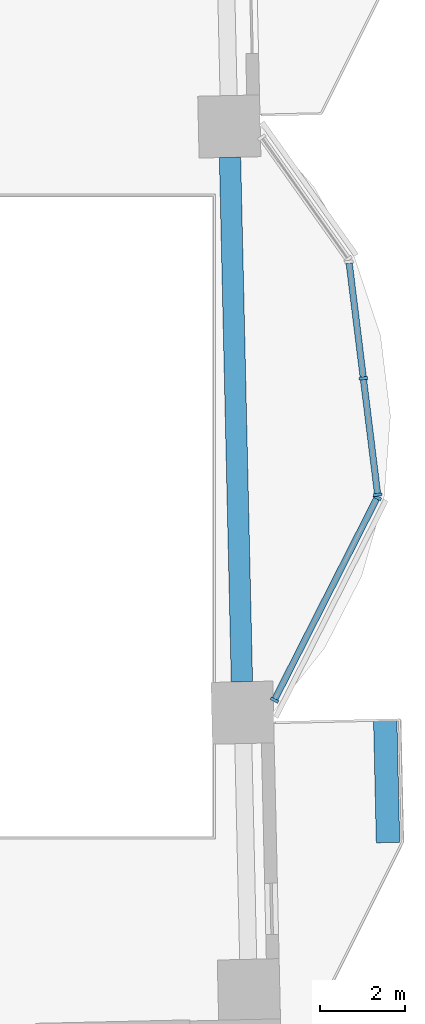
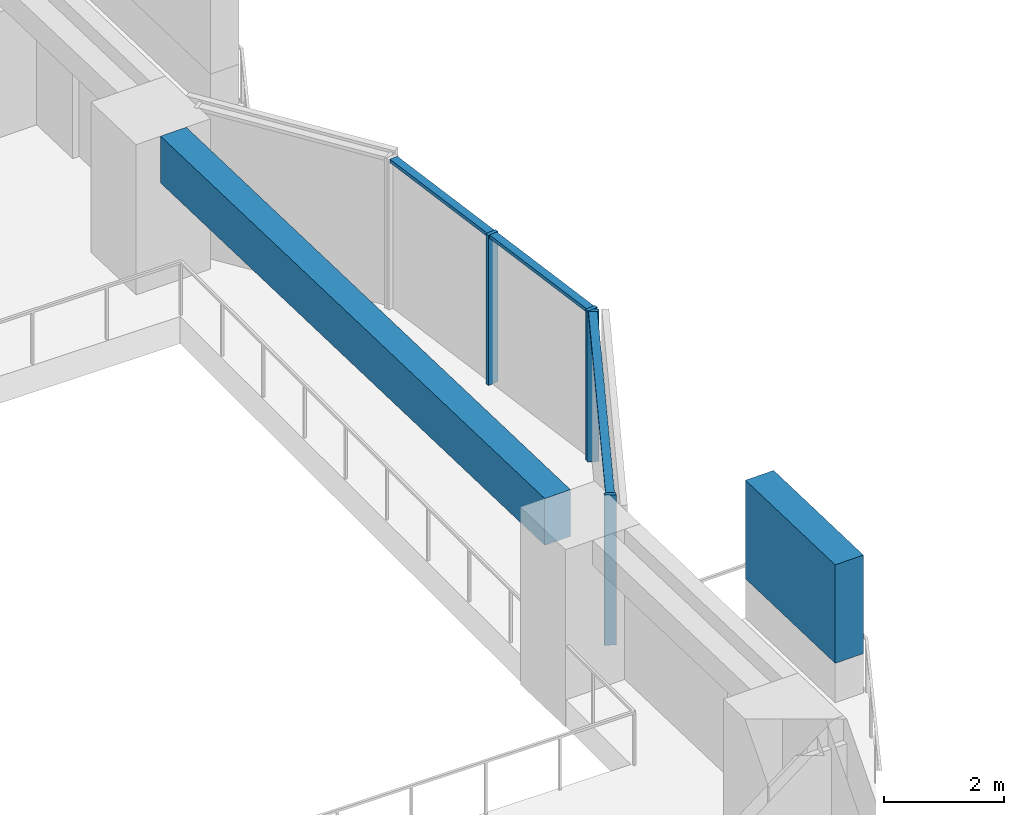
# One storey, part 2 of 17: 8 members, 1 beam, 2 elements without a shape of their own.
"""IFC4 building model written with IfcOpenShell, lengths in metres."""

from ifc_helpers import new_model, si_unit, direction, frame, origin, origin_2d, place, context, subcontext, project, spatial, rectangle, extrude, material, material_profile, profile_set, type_object, element, aggregate, save


model = new_model("IFC4")

# Units and contexts
model_context = context("Model", 3, precision=1e-05, world=origin(), true_north=direction((0.0, 1.0)))
body_context = subcontext(model_context, "Body", "Model", "MODEL_VIEW")
ifc_project = project(units=[si_unit("LENGTHUNIT", "METRE"), si_unit("AREAUNIT", "SQUARE_METRE"), si_unit("VOLUMEUNIT", "CUBIC_METRE"), si_unit("PLANEANGLEUNIT", "RADIAN"), si_unit("MASSUNIT", "GRAM", prefix="KILO")], contexts=[model_context])

# Site, building, storey
site_placement = place(None, origin())
site = spatial("IfcSite", under=ifc_project, at=site_placement, CompositionType="ELEMENT")
building_placement = place(site_placement, origin())
building = spatial("IfcBuilding", under=site, at=building_placement, Name="Mangrove Gate Tower", CompositionType="ELEMENT")
storey_placement = place(building_placement, frame((0.0, 0.0, 82.89990234375)))
storey = spatial("IfcBuildingStorey", under=building, at=storey_placement, Name="L20", CompositionType="ELEMENT", Elevation=82.89990234375)

# Curtain wall, members
ifc_material_1 = material(Name="Aluminium and glass curtain wall", Category="aluminium")
curtain_wall_type = type_object("IfcCurtainWallType", Name="Atrium garden-court glazing wall", PredefinedType="NOTDEFINED", material=ifc_material_1)
curtain_wall_1_placement = place(storey_placement, origin())
curtain_wall_1 = element("IfcCurtainWall", 1, at=curtain_wall_1_placement, inside=storey, type_object=curtain_wall_type, Name="Atrium garden-court glazing E1f1", PredefinedType="NOTDEFINED")
ifc_material_2 = material(Name="Aluminium alloy 6063-T6", Category="aluminium")
ifc_material_profile_1 = material_profile(ifc_material_2, rectangle(XDim=0.070068359375, YDim=0.199951171875, at=origin_2d()))
ifc_profile_set_1 = profile_set([ifc_material_profile_1], Name="Aluminium alloy 6063-T6")
member_type_1 = type_object("IfcMemberType", Name="Atrium garden-court glazing mullion 70x200", PredefinedType="MULLION", material=ifc_profile_set_1)
member_1_placement = place(storey_placement, frame((30.105224609375, -4.3037109375, 0.0), z_axis=(0.0, 0.0, 1.0), x_axis=(0.452580762064, 0.891723417776, 0.0)))
member_1 = element("IfcMember", 2, at=member_1_placement, type_object=member_type_1, Name="CWA mullion 1", PredefinedType="MULLION", context=body_context, shape_type="SweptSolid", body=[
    extrude(rectangle(XDim=0.070068359375, YDim=0.199951171875, at=origin_2d()), origin(), (0.0, 0.0, 1.0), 3.050048828125),
])
member_2_placement = place(storey_placement, frame((32.516357421875, 0.44677734375, 0.0), z_axis=(0.0, 0.0, 1.0), x_axis=(0.452580762064, 0.891723417776, 0.0)))
member_2 = element("IfcMember", 3, at=member_2_placement, type_object=member_type_1, Name="CWA mullion 2", PredefinedType="MULLION", context=body_context, shape_type="SweptSolid", body=[
    extrude(rectangle(XDim=0.070068359375, YDim=0.199951171875, at=origin_2d()), origin(), (0.0, 0.0, 1.0), 3.050048828125),
])

curtain_wall_2_placement = place(storey_placement, origin())
curtain_wall_2 = element("IfcCurtainWall", 4, at=curtain_wall_2_placement, inside=storey, type_object=curtain_wall_type, Name="Atrium garden-court glazing E1f2", PredefinedType="NOTDEFINED")
member_3_placement = place(storey_placement, frame((32.528076171875, 0.512939453125, 0.0), z_axis=(0.0, 0.0, 1.0), x_axis=(-0.122172286076, 0.992508908028, 0.0)))
member_3 = element("IfcMember", 5, at=member_3_placement, type_object=member_type_1, Name="CWA mullion 1", PredefinedType="MULLION", context=body_context, shape_type="SweptSolid", body=[
    extrude(rectangle(XDim=0.070068359375, YDim=0.199951171875, at=origin_2d()), origin(), (0.0, 0.0, 1.0), 3.050048828125),
])
member_4_placement = place(storey_placement, frame((32.19189453125, 3.243896484375, 0.0), z_axis=(0.0, 0.0, 1.0), x_axis=(-0.122172286076, 0.992508908028, 0.0)))
member_4 = element("IfcMember", 6, at=member_4_placement, type_object=member_type_1, Name="CWA mullion 2", PredefinedType="MULLION", context=body_context, shape_type="SweptSolid", body=[
    extrude(rectangle(XDim=0.070068359375, YDim=0.199951171875, at=origin_2d()), origin(), (0.0, 0.0, 1.0), 3.050048828125),
])

# Member
ifc_material_3 = material(Name="Aluminium alloy 6063-T6", Category="aluminium")
ifc_material_profile_2 = material_profile(ifc_material_3, rectangle(XDim=0.070068359375, YDim=0.14990234375, at=origin_2d()))
ifc_profile_set_2 = profile_set([ifc_material_profile_2], Name="Aluminium alloy 6063-T6")
member_type_2 = type_object("IfcMemberType", Name="Atrium garden-court glazing transom 70x150", PredefinedType="USERDEFINED", material=ifc_profile_set_2)
member_5_placement = place(storey_placement, frame((30.12109375, -4.2724609375, 3.01513671875), z_axis=(0.452573642037, 0.891727031402, 0.0), x_axis=(0.0, 0.0, 1.0)))
member_5 = element("IfcMember", 7, at=member_5_placement, type_object=member_type_2, Name="CWA transom 1.2", ObjectType="TRANSOM", PredefinedType="USERDEFINED", context=body_context, shape_type="SweptSolid", body=[
    extrude(rectangle(XDim=0.070068359375, YDim=0.14990234375, at=origin_2d()), origin(), (0.0, 0.0, 1.0), 5.257568359375),
])

aggregate(curtain_wall_1, [member_1, member_2, member_5])

member_6_placement = place(storey_placement, frame((32.523681640625, 0.547607421875, 3.01513671875), z_axis=(-0.122174517154, 0.992508633392, 0.0), x_axis=(0.0, 0.0, 1.0)))
member_6 = element("IfcMember", 8, at=member_6_placement, type_object=member_type_2, Name="CWA transom 1.2", ObjectType="TRANSOM", PredefinedType="USERDEFINED", context=body_context, shape_type="SweptSolid", body=[
    extrude(rectangle(XDim=0.070068359375, YDim=0.14990234375, at=origin_2d()), origin(), (0.0, 0.0, 1.0), 2.681640625),
])

member_7_placement = place(storey_placement, frame((32.1875, 3.27880859375, 3.01513671875), z_axis=(-0.122174517154, 0.992508633392, 0.0), x_axis=(0.0, 0.0, 1.0)))
member_7 = element("IfcMember", 9, at=member_7_placement, type_object=member_type_2, Name="CWA transom 2.2", ObjectType="TRANSOM", PredefinedType="USERDEFINED", context=body_context, shape_type="SweptSolid", body=[
    extrude(rectangle(XDim=0.070068359375, YDim=0.14990234375, at=origin_2d()), origin(), (0.0, 0.0, 1.0), 2.681640625),
])

aggregate(curtain_wall_2, [member_3, member_4, member_6, member_7])

ifc_material_4 = material(Name="Planting on aluminium trellis", Category="aluminium")
ifc_material_profile_3 = material_profile(ifc_material_4, rectangle(XDim=0.550048828125, YDim=2.0, at=origin_2d()))
ifc_profile_set_3 = profile_set([ifc_material_profile_3], Name="Planting on aluminium trellis")
member_type_3 = type_object("IfcMemberType", Name="Balcony greenery screen 550x2000", PredefinedType="USERDEFINED", material=ifc_profile_set_3)
member_8_placement = place(storey_placement, frame((32.77001953125, -7.64501953125, 1.800048828125), z_axis=(-0.022590224177, 0.999744808324, 0.0), x_axis=(-0.999744808324, -0.022590224177, 0.0)))
element("IfcMember", 10, at=member_8_placement, inside=storey, type_object=member_type_3, Name="GREEN SCREEN L20 E0.1", ObjectType="PLANTING", PredefinedType="USERDEFINED", context=body_context, shape_type="SweptSolid", body=[
    extrude(rectangle(XDim=0.550048828125, YDim=2.0, at=origin_2d()), origin(), (0.0, 0.0, 1.0), 2.874755859375),
])

# Beam
ifc_material_5 = material(Name="Concrete C50/60", Category="concrete")
ifc_material_profile_4 = material_profile(ifc_material_5, rectangle(XDim=0.5, YDim=0.949951171875, at=origin_2d()))
ifc_profile_set_4 = profile_set([ifc_material_profile_4], Name="Concrete C50/60")
beam_type = type_object("IfcBeamType", Name="Edge beam RC 500x950 C50/60", PredefinedType="BEAM", material=ifc_profile_set_4)
beam_placement = place(storey_placement, frame((29.34375, -3.87255859375, 2.5751953125), z_axis=(-0.022686238453, 0.999742634174, 0.0), x_axis=(-0.999742634174, -0.022686238453, 0.0)))
element("IfcBeam", 11, at=beam_placement, inside=storey, type_object=beam_type, Name="Edge beam L20 15", PredefinedType="BEAM", context=body_context, shape_type="SweptSolid", body=[
    extrude(rectangle(XDim=0.5, YDim=0.949951171875, at=origin_2d()), origin(), (0.0, 0.0, 1.0), 12.300537109375),
])

save(model, "model.ifc")
